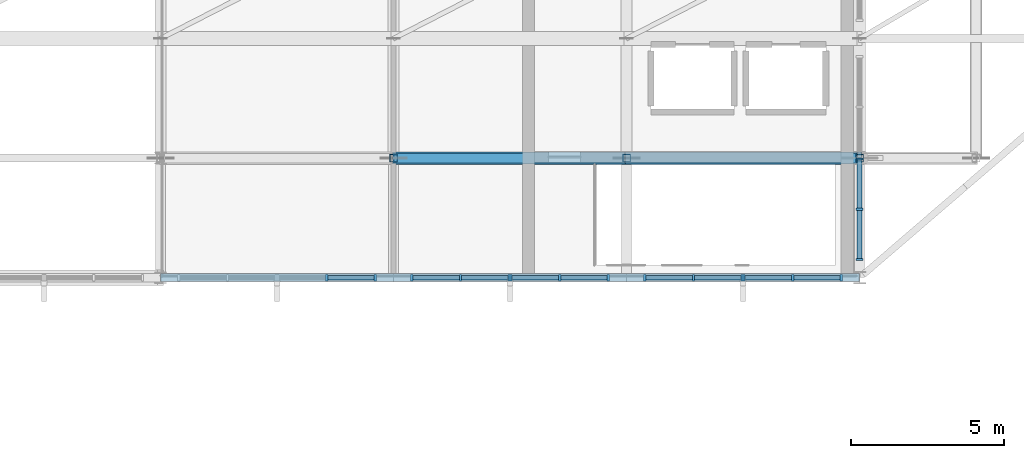
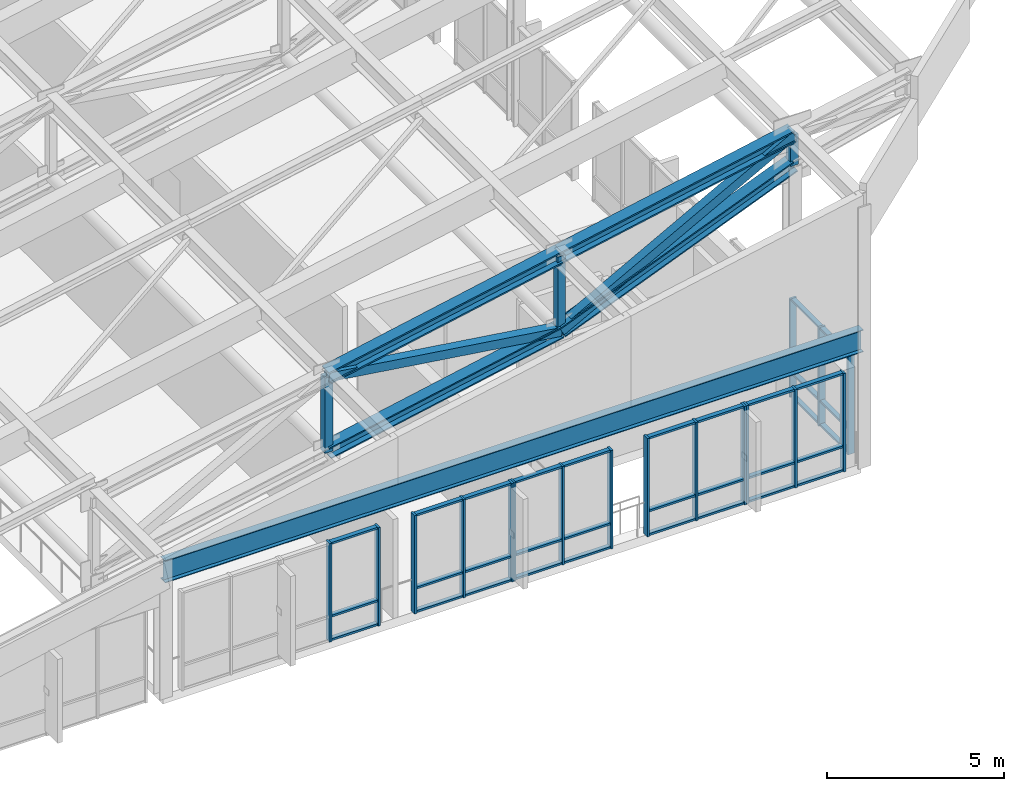
# One storey, part 25 of 73: 59 members, 1 beam, 6 elements without a shape of their own.
"""IFC4 building model written with IfcOpenShell, lengths in metres."""

from ifc_helpers import new_model, si_unit, direction, frame, origin, origin_2d, place, context, subcontext, project, spatial, rectangle, hollow_rectangle, i_section, extrude, material, material_profile, profile_set, type_object, element, aggregate, save


model = new_model("IFC4")

# Units and contexts
model_context = context("Model", 3, precision=1e-05, world=origin(), true_north=direction((0.0, 1.0)))
body_context = subcontext(model_context, "Body", "Model", "MODEL_VIEW")
ifc_project = project(units=[si_unit("LENGTHUNIT", "METRE"), si_unit("AREAUNIT", "SQUARE_METRE"), si_unit("VOLUMEUNIT", "CUBIC_METRE"), si_unit("PLANEANGLEUNIT", "RADIAN"), si_unit("MASSUNIT", "GRAM", prefix="KILO")], contexts=[model_context])

# Site, building, storey
site_placement = place(None, origin())
site = spatial("IfcSite", under=ifc_project, at=site_placement, CompositionType="ELEMENT")
building_placement = place(site_placement, origin())
building = spatial("IfcBuilding", under=site, at=building_placement, Name="Vervanel Yard Central Library", CompositionType="ELEMENT")
storey_placement = place(building_placement, frame((0.0, 0.0, 12.780029296875)))
storey = spatial("IfcBuildingStorey", under=building, at=storey_placement, Name="L03", CompositionType="ELEMENT", Elevation=12.780029296875)

# Members
ifc_material_1 = material(Name="Steel ASTM A992 Grade 50", Category="steel")
ifc_material_profile_1 = material_profile(ifc_material_1, i_section(OverallWidth=0.4013671875, OverallDepth=0.398681640625, WebThickness=0.02490234375, FlangeThickness=0.03955078125, at=origin_2d()), Name="W14X211", Category="steel")
ifc_profile_set_1 = profile_set([ifc_material_profile_1], Name="Steel ASTM A992 Grade 50")
member_type_1 = type_object("IfcMemberType", Name="Prow Cantilever Truss Bottom Chord W14X211", PredefinedType="CHORD", material=ifc_profile_set_1)
member_1_placement = place(storey_placement, frame((130.800048828125, 47.10009765625, 3.43115234375), z_axis=(0.980652097773, 0.0, 0.19575868597), x_axis=(0.0, 1.0, 0.0)))
element("IfcMember", 1, at=member_1_placement, inside=storey, type_object=member_type_1, Name="Prow Cantilever Truss S Bottom Chord Panel 2", PredefinedType="CHORD", context=body_context, shape_type="SweptSolid", body=[
    extrude(i_section(OverallWidth=0.4013671875, OverallDepth=0.398681640625, WebThickness=0.02490234375, FlangeThickness=0.03955078125, at=origin_2d()), origin(), (0.0, 0.0, 1.0), 7.749755859375),
])
member_2_placement = place(storey_placement, frame((138.39990234375, 47.10009765625, 4.9482421875), z_axis=(0.927342452781, 0.0, 0.374213809567), x_axis=(0.0, 1.0, 0.0)))
element("IfcMember", 2, at=member_2_placement, inside=storey, type_object=member_type_1, Name="Prow Cantilever Truss S Bottom Chord Panel 3", PredefinedType="CHORD", context=body_context, shape_type="SweptSolid", body=[
    extrude(i_section(OverallWidth=0.4013671875, OverallDepth=0.398681640625, WebThickness=0.02490234375, FlangeThickness=0.03955078125, at=origin_2d()), origin(), (0.0, 0.0, 1.0), 8.195556640625),
])
ifc_material_profile_2 = material_profile(ifc_material_1, i_section(OverallWidth=0.406494140625, OverallDepth=0.41650390625, WebThickness=0.030029296875, FlangeThickness=0.048095703125, at=origin_2d()), Name="W14X257", Category="steel")
ifc_profile_set_2 = profile_set([ifc_material_profile_2], Name="Steel ASTM A992 Grade 50")
member_type_2 = type_object("IfcMemberType", Name="Prow Cantilever Truss Top Chord W14X257", PredefinedType="CHORD", material=ifc_profile_set_2)
member_3_placement = place(storey_placement, frame((130.800048828125, 47.10009765625, 6.03125), z_axis=(0.980658144981, 0.0, 0.195728390079), x_axis=(0.0, 1.0, 0.0)))
element("IfcMember", 3, at=member_3_placement, inside=storey, type_object=member_type_2, Name="Prow Cantilever Truss S Top Chord Panel 2", PredefinedType="CHORD", context=body_context, shape_type="SweptSolid", body=[
    extrude(i_section(OverallWidth=0.406494140625, OverallDepth=0.41650390625, WebThickness=0.030029296875, FlangeThickness=0.048095703125, at=origin_2d()), origin(), (0.0, 0.0, 1.0), 7.749755859375),
])
member_4_placement = place(storey_placement, frame((138.39990234375, 47.10009765625, 7.548095703125), z_axis=(0.980653304953, 0.0, 0.195752638515), x_axis=(0.0, 1.0, 0.0)))
element("IfcMember", 4, at=member_4_placement, inside=storey, type_object=member_type_2, Name="Prow Cantilever Truss S Top Chord Panel 3", PredefinedType="CHORD", context=body_context, shape_type="SweptSolid", body=[
    extrude(i_section(OverallWidth=0.406494140625, OverallDepth=0.41650390625, WebThickness=0.030029296875, FlangeThickness=0.048095703125, at=origin_2d()), origin(), (0.0, 0.0, 1.0), 7.75),
])
ifc_material_2 = material(Name="Steel ASTM A500 Grade C", Category="steel")
ifc_material_profile_3 = material_profile(ifc_material_2, hollow_rectangle(XDim=0.3046875, YDim=0.3046875, WallThickness=0.0146484375, at=origin_2d()), Name="HSS12X12X5/8", Category="steel")
ifc_profile_set_3 = profile_set([ifc_material_profile_3], Name="Steel ASTM A500 Grade C")
member_type_3 = type_object("IfcMemberType", Name="Prow Truss Web Diagonal HSS12X12X5/8", PredefinedType="BRACE", material=ifc_profile_set_3)
member_5_placement = place(storey_placement, frame((130.800048828125, 47.10009765625, 6.03125), z_axis=(0.989998411056, 0.0, -0.141078510439), x_axis=(0.0, 1.0, 0.0)))
element("IfcMember", 5, at=member_5_placement, inside=storey, type_object=member_type_3, Name="Prow Cantilever Truss S Web Diagonal 2", PredefinedType="BRACE", context=body_context, shape_type="SweptSolid", body=[
    extrude(hollow_rectangle(XDim=0.3046875, YDim=0.3046875, WallThickness=0.0146484375, at=origin_2d()), origin(), (0.0, 0.0, 1.0), 7.676513671875),
])
member_6_placement = place(storey_placement, frame((138.39990234375, 47.10009765625, 4.9482421875), z_axis=(0.879281123086, 0.0, 0.476303166675), x_axis=(0.0, 1.0, 0.0)))
element("IfcMember", 6, at=member_6_placement, inside=storey, type_object=member_type_3, Name="Prow Cantilever Truss S Web Diagonal 3", PredefinedType="BRACE", context=body_context, shape_type="SweptSolid", body=[
    extrude(hollow_rectangle(XDim=0.3046875, YDim=0.3046875, WallThickness=0.0146484375, at=origin_2d()), origin(), (0.0, 0.0, 1.0), 8.6435546875),
])
ifc_material_profile_4 = material_profile(ifc_material_2, hollow_rectangle(XDim=0.25390625, YDim=0.25390625, WallThickness=0.01171875, at=origin_2d()), Name="HSS10X10X1/2", Category="steel")
ifc_profile_set_4 = profile_set([ifc_material_profile_4], Name="Steel ASTM A500 Grade C")
member_type_4 = type_object("IfcMemberType", Name="Prow Truss Web Vertical HSS10X10X1/2", PredefinedType="BRACE", material=ifc_profile_set_4)
member_7_placement = place(storey_placement, frame((130.800048828125, 47.10009765625, 3.43115234375), z_axis=(0.0, 0.0, 1.0), x_axis=(1.0, 0.0, 0.0)))
element("IfcMember", 7, at=member_7_placement, inside=storey, type_object=member_type_4, Name="Prow Cantilever Truss S Vertical 2", PredefinedType="BRACE", context=body_context, shape_type="SweptSolid", body=[
    extrude(hollow_rectangle(XDim=0.25390625, YDim=0.25390625, WallThickness=0.01171875, at=origin_2d()), origin(), (0.0, 0.0, 1.0), 2.60009765625),
])
member_8_placement = place(storey_placement, frame((138.39990234375, 47.10009765625, 4.9482421875), z_axis=(0.0, 0.0, 1.0), x_axis=(1.0, 0.0, 0.0)))
element("IfcMember", 8, at=member_8_placement, inside=storey, type_object=member_type_4, Name="Prow Cantilever Truss S Vertical 3", PredefinedType="BRACE", context=body_context, shape_type="SweptSolid", body=[
    extrude(hollow_rectangle(XDim=0.25390625, YDim=0.25390625, WallThickness=0.01171875, at=origin_2d()), origin(), (0.0, 0.0, 1.0), 2.599853515625),
])
member_9_placement = place(storey_placement, frame((146.0, 47.10009765625, 8.01513671875), z_axis=(0.0, 0.0, 1.0), x_axis=(1.0, 0.0, 0.0)))
element("IfcMember", 9, at=member_9_placement, inside=storey, type_object=member_type_4, Name="Prow Cantilever Truss S Vertical 4", PredefinedType="BRACE", context=body_context, shape_type="SweptSolid", body=[
    extrude(hollow_rectangle(XDim=0.25390625, YDim=0.25390625, WallThickness=0.01171875, at=origin_2d()), origin(), (0.0, 0.0, 1.0), 1.050048828125),
])

# Curtain wall, members
ifc_material_3 = material(Name="Thermally broken anodized aluminium 6063-T6", Category="aluminium")
curtain_wall_type = type_object("IfcCurtainWallType", Name="Prow Cantilever Glazed Curtain Wall", PredefinedType="NOTDEFINED", material=ifc_material_3)
curtain_wall_1_placement = place(storey_placement, origin())
curtain_wall_1 = element("IfcCurtainWall", 10, at=curtain_wall_1_placement, inside=storey, type_object=curtain_wall_type, Name="L03 Prow Cantilever Glazed Curtain Wall CWR-L03-081", PredefinedType="NOTDEFINED")
ifc_material_profile_5 = material_profile(ifc_material_3, rectangle(XDim=0.070068359375, YDim=0.219970703125, at=origin_2d()), Name="ALU 70x220", Category="aluminium")
ifc_profile_set_5 = profile_set([ifc_material_profile_5], Name="Thermally broken anodized aluminium 6063-T6")
member_type_5 = type_object("IfcMemberType", Name="Reading Hall Deep Mullion 70x220", PredefinedType="MULLION", material=ifc_profile_set_5)
member_10_placement = place(storey_placement, frame((128.6201171875, 43.199951171875, 0.0), z_axis=(0.0, 0.0, 1.0), x_axis=(1.0, 0.0, 0.0)))
member_10 = element("IfcMember", 11, at=member_10_placement, type_object=member_type_5, Name="CWR-L03-081 Mullion 2", PredefinedType="MULLION", context=body_context, shape_type="SweptSolid", body=[
    extrude(rectangle(XDim=0.070068359375, YDim=0.219970703125, at=origin_2d()), origin(), (0.0, 0.0, 1.0), 3.39990234375),
])
member_11_placement = place(storey_placement, frame((130.205078125, 43.199951171875, 0.0), z_axis=(0.0, 0.0, 1.0), x_axis=(1.0, 0.0, 0.0)))
member_11 = element("IfcMember", 12, at=member_11_placement, type_object=member_type_5, Name="CWR-L03-081 Mullion 3", PredefinedType="MULLION", context=body_context, shape_type="SweptSolid", body=[
    extrude(rectangle(XDim=0.070068359375, YDim=0.219970703125, at=origin_2d()), origin(), (0.0, 0.0, 1.0), 3.39990234375),
])

curtain_wall_2_placement = place(storey_placement, origin())
curtain_wall_2 = element("IfcCurtainWall", 13, at=curtain_wall_2_placement, inside=storey, type_object=curtain_wall_type, Name="L03 Prow Cantilever Glazed Curtain Wall CWR-L03-082", PredefinedType="NOTDEFINED")
member_12_placement = place(storey_placement, frame((131.39501953125, 43.199951171875, 0.0), z_axis=(0.0, 0.0, 1.0), x_axis=(1.0, 0.0, 0.0)))
member_12 = element("IfcMember", 14, at=member_12_placement, type_object=member_type_5, Name="CWR-L03-082 Mullion 1", PredefinedType="MULLION", context=body_context, shape_type="SweptSolid", body=[
    extrude(rectangle(XDim=0.070068359375, YDim=0.219970703125, at=origin_2d()), origin(), (0.0, 0.0, 1.0), 3.39990234375),
])
member_13_placement = place(storey_placement, frame((132.97998046875, 43.199951171875, 0.0), z_axis=(0.0, 0.0, 1.0), x_axis=(1.0, 0.0, 0.0)))
member_13 = element("IfcMember", 15, at=member_13_placement, type_object=member_type_5, Name="CWR-L03-082 Mullion 2", PredefinedType="MULLION", context=body_context, shape_type="SweptSolid", body=[
    extrude(rectangle(XDim=0.070068359375, YDim=0.219970703125, at=origin_2d()), origin(), (0.0, 0.0, 1.0), 3.39990234375),
])
member_14_placement = place(storey_placement, frame((134.56494140625, 43.199951171875, 0.0), z_axis=(0.0, 0.0, 1.0), x_axis=(1.0, 0.0, 0.0)))
member_14 = element("IfcMember", 16, at=member_14_placement, type_object=member_type_5, Name="CWR-L03-082 Mullion 3", PredefinedType="MULLION", context=body_context, shape_type="SweptSolid", body=[
    extrude(rectangle(XDim=0.070068359375, YDim=0.219970703125, at=origin_2d()), origin(), (0.0, 0.0, 1.0), 3.39990234375),
])

curtain_wall_3_placement = place(storey_placement, origin())
curtain_wall_3 = element("IfcCurtainWall", 17, at=curtain_wall_3_placement, inside=storey, type_object=curtain_wall_type, Name="L03 Prow Cantilever Glazed Curtain Wall CWR-L03-083", PredefinedType="NOTDEFINED")
member_15_placement = place(storey_placement, frame((134.635009765625, 43.199951171875, 0.0), z_axis=(0.0, 0.0, 1.0), x_axis=(1.0, 0.0, 0.0)))
member_15 = element("IfcMember", 18, at=member_15_placement, type_object=member_type_5, Name="CWR-L03-083 Mullion 1", PredefinedType="MULLION", context=body_context, shape_type="SweptSolid", body=[
    extrude(rectangle(XDim=0.070068359375, YDim=0.219970703125, at=origin_2d()), origin(), (0.0, 0.0, 1.0), 3.39990234375),
])
member_16_placement = place(storey_placement, frame((136.219970703125, 43.199951171875, 0.0), z_axis=(0.0, 0.0, 1.0), x_axis=(1.0, 0.0, 0.0)))
member_16 = element("IfcMember", 19, at=member_16_placement, type_object=member_type_5, Name="CWR-L03-083 Mullion 2", PredefinedType="MULLION", context=body_context, shape_type="SweptSolid", body=[
    extrude(rectangle(XDim=0.070068359375, YDim=0.219970703125, at=origin_2d()), origin(), (0.0, 0.0, 1.0), 3.39990234375),
])
member_17_placement = place(storey_placement, frame((137.804931640625, 43.199951171875, 0.0), z_axis=(0.0, 0.0, 1.0), x_axis=(1.0, 0.0, 0.0)))
member_17 = element("IfcMember", 20, at=member_17_placement, type_object=member_type_5, Name="CWR-L03-083 Mullion 3", PredefinedType="MULLION", context=body_context, shape_type="SweptSolid", body=[
    extrude(rectangle(XDim=0.070068359375, YDim=0.219970703125, at=origin_2d()), origin(), (0.0, 0.0, 1.0), 3.39990234375),
])

curtain_wall_4_placement = place(storey_placement, origin())
curtain_wall_4 = element("IfcCurtainWall", 21, at=curtain_wall_4_placement, inside=storey, type_object=curtain_wall_type, Name="L03 Prow Cantilever Glazed Curtain Wall CWR-L03-084", PredefinedType="NOTDEFINED")
member_18_placement = place(storey_placement, frame((138.9951171875, 43.199951171875, 0.0), z_axis=(0.0, 0.0, 1.0), x_axis=(1.0, 0.0, 0.0)))
member_18 = element("IfcMember", 22, at=member_18_placement, type_object=member_type_5, Name="CWR-L03-084 Mullion 1", PredefinedType="MULLION", context=body_context, shape_type="SweptSolid", body=[
    extrude(rectangle(XDim=0.070068359375, YDim=0.219970703125, at=origin_2d()), origin(), (0.0, 0.0, 1.0), 3.39990234375),
])
member_19_placement = place(storey_placement, frame((140.580078125, 43.199951171875, 0.0), z_axis=(0.0, 0.0, 1.0), x_axis=(1.0, 0.0, 0.0)))
member_19 = element("IfcMember", 23, at=member_19_placement, type_object=member_type_5, Name="CWR-L03-084 Mullion 2", PredefinedType="MULLION", context=body_context, shape_type="SweptSolid", body=[
    extrude(rectangle(XDim=0.070068359375, YDim=0.219970703125, at=origin_2d()), origin(), (0.0, 0.0, 1.0), 3.39990234375),
])
member_20_placement = place(storey_placement, frame((142.1650390625, 43.199951171875, 0.0), z_axis=(0.0, 0.0, 1.0), x_axis=(1.0, 0.0, 0.0)))
member_20 = element("IfcMember", 24, at=member_20_placement, type_object=member_type_5, Name="CWR-L03-084 Mullion 3", PredefinedType="MULLION", context=body_context, shape_type="SweptSolid", body=[
    extrude(rectangle(XDim=0.070068359375, YDim=0.219970703125, at=origin_2d()), origin(), (0.0, 0.0, 1.0), 3.39990234375),
])

curtain_wall_5_placement = place(storey_placement, origin())
curtain_wall_5 = element("IfcCurtainWall", 25, at=curtain_wall_5_placement, inside=storey, type_object=curtain_wall_type, Name="L03 Prow Cantilever Glazed Curtain Wall CWR-L03-085", PredefinedType="NOTDEFINED")
member_21_placement = place(storey_placement, frame((142.235107421875, 43.199951171875, 0.0), z_axis=(0.0, 0.0, 1.0), x_axis=(1.0, 0.0, 0.0)))
member_21 = element("IfcMember", 26, at=member_21_placement, type_object=member_type_5, Name="CWR-L03-085 Mullion 1", PredefinedType="MULLION", context=body_context, shape_type="SweptSolid", body=[
    extrude(rectangle(XDim=0.070068359375, YDim=0.219970703125, at=origin_2d()), origin(), (0.0, 0.0, 1.0), 3.39990234375),
])
member_22_placement = place(storey_placement, frame((143.820068359375, 43.199951171875, 0.0), z_axis=(0.0, 0.0, 1.0), x_axis=(1.0, 0.0, 0.0)))
member_22 = element("IfcMember", 27, at=member_22_placement, type_object=member_type_5, Name="CWR-L03-085 Mullion 2", PredefinedType="MULLION", context=body_context, shape_type="SweptSolid", body=[
    extrude(rectangle(XDim=0.070068359375, YDim=0.219970703125, at=origin_2d()), origin(), (0.0, 0.0, 1.0), 3.39990234375),
])
member_23_placement = place(storey_placement, frame((145.405029296875, 43.199951171875, 0.0), z_axis=(0.0, 0.0, 1.0), x_axis=(1.0, 0.0, 0.0)))
member_23 = element("IfcMember", 28, at=member_23_placement, type_object=member_type_5, Name="CWR-L03-085 Mullion 3", PredefinedType="MULLION", context=body_context, shape_type="SweptSolid", body=[
    extrude(rectangle(XDim=0.070068359375, YDim=0.219970703125, at=origin_2d()), origin(), (0.0, 0.0, 1.0), 3.39990234375),
])

curtain_wall_6_placement = place(storey_placement, origin())
curtain_wall_6 = element("IfcCurtainWall", 29, at=curtain_wall_6_placement, inside=storey, type_object=curtain_wall_type, Name="L03 Prow Cantilever Glazed Curtain Wall CWR-L03-140", PredefinedType="NOTDEFINED")
member_24_placement = place(storey_placement, frame((146.0, 43.794921875, 0.0), z_axis=(0.0, 0.0, 1.0), x_axis=(0.0, 1.0, 0.0)))
member_24 = element("IfcMember", 30, at=member_24_placement, type_object=member_type_5, Name="CWR-L03-140 Mullion 1", PredefinedType="MULLION", context=body_context, shape_type="SweptSolid", body=[
    extrude(rectangle(XDim=0.070068359375, YDim=0.219970703125, at=origin_2d()), origin(), (0.0, 0.0, 1.0), 3.39990234375),
])
member_25_placement = place(storey_placement, frame((146.0, 45.429931640625, 0.0), z_axis=(0.0, 0.0, 1.0), x_axis=(0.0, 1.0, 0.0)))
member_25 = element("IfcMember", 31, at=member_25_placement, type_object=member_type_5, Name="CWR-L03-140 Mullion 2", PredefinedType="MULLION", context=body_context, shape_type="SweptSolid", body=[
    extrude(rectangle(XDim=0.070068359375, YDim=0.219970703125, at=origin_2d()), origin(), (0.0, 0.0, 1.0), 3.39990234375),
])
member_26_placement = place(storey_placement, frame((146.0, 47.06494140625, 0.0), z_axis=(0.0, 0.0, 1.0), x_axis=(0.0, 1.0, 0.0)))
member_26 = element("IfcMember", 32, at=member_26_placement, type_object=member_type_5, Name="CWR-L03-140 Mullion 3", PredefinedType="MULLION", context=body_context, shape_type="SweptSolid", body=[
    extrude(rectangle(XDim=0.070068359375, YDim=0.219970703125, at=origin_2d()), origin(), (0.0, 0.0, 1.0), 3.39990234375),
])

# Member
ifc_material_profile_6 = material_profile(ifc_material_3, rectangle(XDim=0.070068359375, YDim=0.14990234375, at=origin_2d()), Name="ALU 70x150", Category="aluminium")
ifc_profile_set_6 = profile_set([ifc_material_profile_6], Name="Thermally broken anodized aluminium 6063-T6")
member_type_6 = type_object("IfcMemberType", Name="Reading Hall Deep Transom 70x150", PredefinedType="NOTDEFINED", material=ifc_profile_set_6)
member_27_placement = place(storey_placement, frame((128.655029296875, 43.199951171875, 0.034912109375), z_axis=(1.0, 0.0, 0.0), x_axis=(0.0, 0.0, 1.0)))
member_27 = element("IfcMember", 33, at=member_27_placement, type_object=member_type_6, Name="CWR-L03-081 Transom B2-T1", ObjectType="TRANSOM", PredefinedType="USERDEFINED", context=body_context, shape_type="SweptSolid", body=[
    extrude(rectangle(XDim=0.070068359375, YDim=0.14990234375, at=origin_2d()), origin(), (0.0, 0.0, 1.0), 1.514892578125),
])

member_28_placement = place(storey_placement, frame((128.655029296875, 43.199951171875, 0.849853515625), z_axis=(1.0, 0.0, 0.0), x_axis=(0.0, 0.0, 1.0)))
member_28 = element("IfcMember", 34, at=member_28_placement, type_object=member_type_6, Name="CWR-L03-081 Transom B2-T2", ObjectType="TRANSOM", PredefinedType="USERDEFINED", context=body_context, shape_type="SweptSolid", body=[
    extrude(rectangle(XDim=0.070068359375, YDim=0.14990234375, at=origin_2d()), origin(), (0.0, 0.0, 1.0), 1.514892578125),
])

member_29_placement = place(storey_placement, frame((128.655029296875, 43.199951171875, 3.364990234375), z_axis=(1.0, 0.0, 0.0), x_axis=(0.0, 0.0, 1.0)))
member_29 = element("IfcMember", 35, at=member_29_placement, type_object=member_type_6, Name="CWR-L03-081 Transom B2-T3", ObjectType="TRANSOM", PredefinedType="USERDEFINED", context=body_context, shape_type="SweptSolid", body=[
    extrude(rectangle(XDim=0.070068359375, YDim=0.14990234375, at=origin_2d()), origin(), (0.0, 0.0, 1.0), 1.514892578125),
])

aggregate(curtain_wall_1, [member_10, member_11, member_27, member_28, member_29])

member_30_placement = place(storey_placement, frame((131.429931640625, 43.199951171875, 0.034912109375), z_axis=(1.0, 0.0, 0.0), x_axis=(0.0, 0.0, 1.0)))
member_30 = element("IfcMember", 36, at=member_30_placement, type_object=member_type_6, Name="CWR-L03-082 Transom B1-T1", ObjectType="TRANSOM", PredefinedType="USERDEFINED", context=body_context, shape_type="SweptSolid", body=[
    extrude(rectangle(XDim=0.070068359375, YDim=0.14990234375, at=origin_2d()), origin(), (0.0, 0.0, 1.0), 1.51513671875),
])

member_31_placement = place(storey_placement, frame((131.429931640625, 43.199951171875, 0.849853515625), z_axis=(1.0, 0.0, 0.0), x_axis=(0.0, 0.0, 1.0)))
member_31 = element("IfcMember", 37, at=member_31_placement, type_object=member_type_6, Name="CWR-L03-082 Transom B1-T2", ObjectType="TRANSOM", PredefinedType="USERDEFINED", context=body_context, shape_type="SweptSolid", body=[
    extrude(rectangle(XDim=0.070068359375, YDim=0.14990234375, at=origin_2d()), origin(), (0.0, 0.0, 1.0), 1.51513671875),
])

member_32_placement = place(storey_placement, frame((131.429931640625, 43.199951171875, 3.364990234375), z_axis=(1.0, 0.0, 0.0), x_axis=(0.0, 0.0, 1.0)))
member_32 = element("IfcMember", 38, at=member_32_placement, type_object=member_type_6, Name="CWR-L03-082 Transom B1-T3", ObjectType="TRANSOM", PredefinedType="USERDEFINED", context=body_context, shape_type="SweptSolid", body=[
    extrude(rectangle(XDim=0.070068359375, YDim=0.14990234375, at=origin_2d()), origin(), (0.0, 0.0, 1.0), 1.51513671875),
])

member_33_placement = place(storey_placement, frame((133.014892578125, 43.199951171875, 0.034912109375), z_axis=(1.0, 0.0, 0.0), x_axis=(0.0, 0.0, 1.0)))
member_33 = element("IfcMember", 39, at=member_33_placement, type_object=member_type_6, Name="CWR-L03-082 Transom B2-T1", ObjectType="TRANSOM", PredefinedType="USERDEFINED", context=body_context, shape_type="SweptSolid", body=[
    extrude(rectangle(XDim=0.070068359375, YDim=0.14990234375, at=origin_2d()), origin(), (0.0, 0.0, 1.0), 1.51513671875),
])

member_34_placement = place(storey_placement, frame((133.014892578125, 43.199951171875, 0.849853515625), z_axis=(1.0, 0.0, 0.0), x_axis=(0.0, 0.0, 1.0)))
member_34 = element("IfcMember", 40, at=member_34_placement, type_object=member_type_6, Name="CWR-L03-082 Transom B2-T2", ObjectType="TRANSOM", PredefinedType="USERDEFINED", context=body_context, shape_type="SweptSolid", body=[
    extrude(rectangle(XDim=0.070068359375, YDim=0.14990234375, at=origin_2d()), origin(), (0.0, 0.0, 1.0), 1.51513671875),
])

member_35_placement = place(storey_placement, frame((133.014892578125, 43.199951171875, 3.364990234375), z_axis=(1.0, 0.0, 0.0), x_axis=(0.0, 0.0, 1.0)))
member_35 = element("IfcMember", 41, at=member_35_placement, type_object=member_type_6, Name="CWR-L03-082 Transom B2-T3", ObjectType="TRANSOM", PredefinedType="USERDEFINED", context=body_context, shape_type="SweptSolid", body=[
    extrude(rectangle(XDim=0.070068359375, YDim=0.14990234375, at=origin_2d()), origin(), (0.0, 0.0, 1.0), 1.51513671875),
])

aggregate(curtain_wall_2, [member_12, member_13, member_14, member_30, member_31, member_32, member_33, member_34, member_35])

member_36_placement = place(storey_placement, frame((134.669921875, 43.199951171875, 0.034912109375), z_axis=(1.0, 0.0, 0.0), x_axis=(0.0, 0.0, 1.0)))
member_36 = element("IfcMember", 42, at=member_36_placement, type_object=member_type_6, Name="CWR-L03-083 Transom B1-T1", ObjectType="TRANSOM", PredefinedType="USERDEFINED", context=body_context, shape_type="SweptSolid", body=[
    extrude(rectangle(XDim=0.070068359375, YDim=0.14990234375, at=origin_2d()), origin(), (0.0, 0.0, 1.0), 1.51513671875),
])

member_37_placement = place(storey_placement, frame((134.669921875, 43.199951171875, 0.849853515625), z_axis=(1.0, 0.0, 0.0), x_axis=(0.0, 0.0, 1.0)))
member_37 = element("IfcMember", 43, at=member_37_placement, type_object=member_type_6, Name="CWR-L03-083 Transom B1-T2", ObjectType="TRANSOM", PredefinedType="USERDEFINED", context=body_context, shape_type="SweptSolid", body=[
    extrude(rectangle(XDim=0.070068359375, YDim=0.14990234375, at=origin_2d()), origin(), (0.0, 0.0, 1.0), 1.51513671875),
])

member_38_placement = place(storey_placement, frame((134.669921875, 43.199951171875, 3.364990234375), z_axis=(1.0, 0.0, 0.0), x_axis=(0.0, 0.0, 1.0)))
member_38 = element("IfcMember", 44, at=member_38_placement, type_object=member_type_6, Name="CWR-L03-083 Transom B1-T3", ObjectType="TRANSOM", PredefinedType="USERDEFINED", context=body_context, shape_type="SweptSolid", body=[
    extrude(rectangle(XDim=0.070068359375, YDim=0.14990234375, at=origin_2d()), origin(), (0.0, 0.0, 1.0), 1.51513671875),
])

member_39_placement = place(storey_placement, frame((136.2548828125, 43.199951171875, 0.034912109375), z_axis=(1.0, 0.0, 0.0), x_axis=(0.0, 0.0, 1.0)))
member_39 = element("IfcMember", 45, at=member_39_placement, type_object=member_type_6, Name="CWR-L03-083 Transom B2-T1", ObjectType="TRANSOM", PredefinedType="USERDEFINED", context=body_context, shape_type="SweptSolid", body=[
    extrude(rectangle(XDim=0.070068359375, YDim=0.14990234375, at=origin_2d()), origin(), (0.0, 0.0, 1.0), 1.51513671875),
])

member_40_placement = place(storey_placement, frame((136.2548828125, 43.199951171875, 0.849853515625), z_axis=(1.0, 0.0, 0.0), x_axis=(0.0, 0.0, 1.0)))
member_40 = element("IfcMember", 46, at=member_40_placement, type_object=member_type_6, Name="CWR-L03-083 Transom B2-T2", ObjectType="TRANSOM", PredefinedType="USERDEFINED", context=body_context, shape_type="SweptSolid", body=[
    extrude(rectangle(XDim=0.070068359375, YDim=0.14990234375, at=origin_2d()), origin(), (0.0, 0.0, 1.0), 1.51513671875),
])

member_41_placement = place(storey_placement, frame((136.2548828125, 43.199951171875, 3.364990234375), z_axis=(1.0, 0.0, 0.0), x_axis=(0.0, 0.0, 1.0)))
member_41 = element("IfcMember", 47, at=member_41_placement, type_object=member_type_6, Name="CWR-L03-083 Transom B2-T3", ObjectType="TRANSOM", PredefinedType="USERDEFINED", context=body_context, shape_type="SweptSolid", body=[
    extrude(rectangle(XDim=0.070068359375, YDim=0.14990234375, at=origin_2d()), origin(), (0.0, 0.0, 1.0), 1.51513671875),
])

aggregate(curtain_wall_3, [member_15, member_16, member_17, member_36, member_37, member_38, member_39, member_40, member_41])

member_42_placement = place(storey_placement, frame((139.030029296875, 43.199951171875, 0.034912109375), z_axis=(1.0, 0.0, 0.0), x_axis=(0.0, 0.0, 1.0)))
member_42 = element("IfcMember", 48, at=member_42_placement, type_object=member_type_6, Name="CWR-L03-084 Transom B1-T1", ObjectType="TRANSOM", PredefinedType="USERDEFINED", context=body_context, shape_type="SweptSolid", body=[
    extrude(rectangle(XDim=0.070068359375, YDim=0.14990234375, at=origin_2d()), origin(), (0.0, 0.0, 1.0), 1.514892578125),
])

member_43_placement = place(storey_placement, frame((139.030029296875, 43.199951171875, 0.849853515625), z_axis=(1.0, 0.0, 0.0), x_axis=(0.0, 0.0, 1.0)))
member_43 = element("IfcMember", 49, at=member_43_placement, type_object=member_type_6, Name="CWR-L03-084 Transom B1-T2", ObjectType="TRANSOM", PredefinedType="USERDEFINED", context=body_context, shape_type="SweptSolid", body=[
    extrude(rectangle(XDim=0.070068359375, YDim=0.14990234375, at=origin_2d()), origin(), (0.0, 0.0, 1.0), 1.514892578125),
])

member_44_placement = place(storey_placement, frame((139.030029296875, 43.199951171875, 3.364990234375), z_axis=(1.0, 0.0, 0.0), x_axis=(0.0, 0.0, 1.0)))
member_44 = element("IfcMember", 50, at=member_44_placement, type_object=member_type_6, Name="CWR-L03-084 Transom B1-T3", ObjectType="TRANSOM", PredefinedType="USERDEFINED", context=body_context, shape_type="SweptSolid", body=[
    extrude(rectangle(XDim=0.070068359375, YDim=0.14990234375, at=origin_2d()), origin(), (0.0, 0.0, 1.0), 1.514892578125),
])

member_45_placement = place(storey_placement, frame((140.614990234375, 43.199951171875, 0.034912109375), z_axis=(1.0, 0.0, 0.0), x_axis=(0.0, 0.0, 1.0)))
member_45 = element("IfcMember", 51, at=member_45_placement, type_object=member_type_6, Name="CWR-L03-084 Transom B2-T1", ObjectType="TRANSOM", PredefinedType="USERDEFINED", context=body_context, shape_type="SweptSolid", body=[
    extrude(rectangle(XDim=0.070068359375, YDim=0.14990234375, at=origin_2d()), origin(), (0.0, 0.0, 1.0), 1.514892578125),
])

member_46_placement = place(storey_placement, frame((140.614990234375, 43.199951171875, 0.849853515625), z_axis=(1.0, 0.0, 0.0), x_axis=(0.0, 0.0, 1.0)))
member_46 = element("IfcMember", 52, at=member_46_placement, type_object=member_type_6, Name="CWR-L03-084 Transom B2-T2", ObjectType="TRANSOM", PredefinedType="USERDEFINED", context=body_context, shape_type="SweptSolid", body=[
    extrude(rectangle(XDim=0.070068359375, YDim=0.14990234375, at=origin_2d()), origin(), (0.0, 0.0, 1.0), 1.514892578125),
])

member_47_placement = place(storey_placement, frame((140.614990234375, 43.199951171875, 3.364990234375), z_axis=(1.0, 0.0, 0.0), x_axis=(0.0, 0.0, 1.0)))
member_47 = element("IfcMember", 53, at=member_47_placement, type_object=member_type_6, Name="CWR-L03-084 Transom B2-T3", ObjectType="TRANSOM", PredefinedType="USERDEFINED", context=body_context, shape_type="SweptSolid", body=[
    extrude(rectangle(XDim=0.070068359375, YDim=0.14990234375, at=origin_2d()), origin(), (0.0, 0.0, 1.0), 1.514892578125),
])

aggregate(curtain_wall_4, [member_18, member_19, member_20, member_42, member_43, member_44, member_45, member_46, member_47])

member_48_placement = place(storey_placement, frame((142.27001953125, 43.199951171875, 0.034912109375), z_axis=(1.0, 0.0, 0.0), x_axis=(0.0, 0.0, 1.0)))
member_48 = element("IfcMember", 54, at=member_48_placement, type_object=member_type_6, Name="CWR-L03-085 Transom B1-T1", ObjectType="TRANSOM", PredefinedType="USERDEFINED", context=body_context, shape_type="SweptSolid", body=[
    extrude(rectangle(XDim=0.070068359375, YDim=0.14990234375, at=origin_2d()), origin(), (0.0, 0.0, 1.0), 1.514892578125),
])

member_49_placement = place(storey_placement, frame((142.27001953125, 43.199951171875, 0.849853515625), z_axis=(1.0, 0.0, 0.0), x_axis=(0.0, 0.0, 1.0)))
member_49 = element("IfcMember", 55, at=member_49_placement, type_object=member_type_6, Name="CWR-L03-085 Transom B1-T2", ObjectType="TRANSOM", PredefinedType="USERDEFINED", context=body_context, shape_type="SweptSolid", body=[
    extrude(rectangle(XDim=0.070068359375, YDim=0.14990234375, at=origin_2d()), origin(), (0.0, 0.0, 1.0), 1.514892578125),
])

member_50_placement = place(storey_placement, frame((142.27001953125, 43.199951171875, 3.364990234375), z_axis=(1.0, 0.0, 0.0), x_axis=(0.0, 0.0, 1.0)))
member_50 = element("IfcMember", 56, at=member_50_placement, type_object=member_type_6, Name="CWR-L03-085 Transom B1-T3", ObjectType="TRANSOM", PredefinedType="USERDEFINED", context=body_context, shape_type="SweptSolid", body=[
    extrude(rectangle(XDim=0.070068359375, YDim=0.14990234375, at=origin_2d()), origin(), (0.0, 0.0, 1.0), 1.514892578125),
])

member_51_placement = place(storey_placement, frame((143.85498046875, 43.199951171875, 0.034912109375), z_axis=(1.0, 0.0, 0.0), x_axis=(0.0, 0.0, 1.0)))
member_51 = element("IfcMember", 57, at=member_51_placement, type_object=member_type_6, Name="CWR-L03-085 Transom B2-T1", ObjectType="TRANSOM", PredefinedType="USERDEFINED", context=body_context, shape_type="SweptSolid", body=[
    extrude(rectangle(XDim=0.070068359375, YDim=0.14990234375, at=origin_2d()), origin(), (0.0, 0.0, 1.0), 1.51513671875),
])

member_52_placement = place(storey_placement, frame((143.85498046875, 43.199951171875, 0.849853515625), z_axis=(1.0, 0.0, 0.0), x_axis=(0.0, 0.0, 1.0)))
member_52 = element("IfcMember", 58, at=member_52_placement, type_object=member_type_6, Name="CWR-L03-085 Transom B2-T2", ObjectType="TRANSOM", PredefinedType="USERDEFINED", context=body_context, shape_type="SweptSolid", body=[
    extrude(rectangle(XDim=0.070068359375, YDim=0.14990234375, at=origin_2d()), origin(), (0.0, 0.0, 1.0), 1.51513671875),
])

member_53_placement = place(storey_placement, frame((143.85498046875, 43.199951171875, 3.364990234375), z_axis=(1.0, 0.0, 0.0), x_axis=(0.0, 0.0, 1.0)))
member_53 = element("IfcMember", 59, at=member_53_placement, type_object=member_type_6, Name="CWR-L03-085 Transom B2-T3", ObjectType="TRANSOM", PredefinedType="USERDEFINED", context=body_context, shape_type="SweptSolid", body=[
    extrude(rectangle(XDim=0.070068359375, YDim=0.14990234375, at=origin_2d()), origin(), (0.0, 0.0, 1.0), 1.51513671875),
])

aggregate(curtain_wall_5, [member_21, member_22, member_23, member_48, member_49, member_50, member_51, member_52, member_53])

member_54_placement = place(storey_placement, frame((146.0, 43.830078125, 0.034912109375), z_axis=(0.0, 1.0, 0.0), x_axis=(0.0, 0.0, 1.0)))
member_54 = element("IfcMember", 60, at=member_54_placement, type_object=member_type_6, Name="CWR-L03-140 Transom B1-T1", ObjectType="TRANSOM", PredefinedType="USERDEFINED", context=body_context, shape_type="SweptSolid", body=[
    extrude(rectangle(XDim=0.070068359375, YDim=0.14990234375, at=origin_2d()), origin(), (0.0, 0.0, 1.0), 1.56494140625),
])

member_55_placement = place(storey_placement, frame((146.0, 43.830078125, 0.849853515625), z_axis=(0.0, 1.0, 0.0), x_axis=(0.0, 0.0, 1.0)))
member_55 = element("IfcMember", 61, at=member_55_placement, type_object=member_type_6, Name="CWR-L03-140 Transom B1-T2", ObjectType="TRANSOM", PredefinedType="USERDEFINED", context=body_context, shape_type="SweptSolid", body=[
    extrude(rectangle(XDim=0.070068359375, YDim=0.14990234375, at=origin_2d()), origin(), (0.0, 0.0, 1.0), 1.56494140625),
])

member_56_placement = place(storey_placement, frame((146.0, 43.830078125, 3.364990234375), z_axis=(0.0, 1.0, 0.0), x_axis=(0.0, 0.0, 1.0)))
member_56 = element("IfcMember", 62, at=member_56_placement, type_object=member_type_6, Name="CWR-L03-140 Transom B1-T3", ObjectType="TRANSOM", PredefinedType="USERDEFINED", context=body_context, shape_type="SweptSolid", body=[
    extrude(rectangle(XDim=0.070068359375, YDim=0.14990234375, at=origin_2d()), origin(), (0.0, 0.0, 1.0), 1.56494140625),
])

member_57_placement = place(storey_placement, frame((146.0, 45.465087890625, 0.034912109375), z_axis=(0.0, 1.0, 0.0), x_axis=(0.0, 0.0, 1.0)))
member_57 = element("IfcMember", 63, at=member_57_placement, type_object=member_type_6, Name="CWR-L03-140 Transom B2-T1", ObjectType="TRANSOM", PredefinedType="USERDEFINED", context=body_context, shape_type="SweptSolid", body=[
    extrude(rectangle(XDim=0.070068359375, YDim=0.14990234375, at=origin_2d()), origin(), (0.0, 0.0, 1.0), 1.56494140625),
])

member_58_placement = place(storey_placement, frame((146.0, 45.465087890625, 0.849853515625), z_axis=(0.0, 1.0, 0.0), x_axis=(0.0, 0.0, 1.0)))
member_58 = element("IfcMember", 64, at=member_58_placement, type_object=member_type_6, Name="CWR-L03-140 Transom B2-T2", ObjectType="TRANSOM", PredefinedType="USERDEFINED", context=body_context, shape_type="SweptSolid", body=[
    extrude(rectangle(XDim=0.070068359375, YDim=0.14990234375, at=origin_2d()), origin(), (0.0, 0.0, 1.0), 1.56494140625),
])

member_59_placement = place(storey_placement, frame((146.0, 45.465087890625, 3.364990234375), z_axis=(0.0, 1.0, 0.0), x_axis=(0.0, 0.0, 1.0)))
member_59 = element("IfcMember", 65, at=member_59_placement, type_object=member_type_6, Name="CWR-L03-140 Transom B2-T3", ObjectType="TRANSOM", PredefinedType="USERDEFINED", context=body_context, shape_type="SweptSolid", body=[
    extrude(rectangle(XDim=0.070068359375, YDim=0.14990234375, at=origin_2d()), origin(), (0.0, 0.0, 1.0), 1.56494140625),
])

aggregate(curtain_wall_6, [member_24, member_25, member_26, member_54, member_55, member_56, member_57, member_58, member_59])

# Beam
ifc_material_profile_7 = material_profile(ifc_material_1, i_section(OverallWidth=0.2666015625, OverallDepth=0.76953125, WebThickness=0.015625, FlangeThickness=0.025390625, at=origin_2d()), Name="W30X132", Category="steel")
ifc_profile_set_7 = profile_set([ifc_material_profile_7], Name="Steel ASTM A992 Grade 50")
beam_type = type_object("IfcBeamType", Name="Steel Reading Hall Girder W30X132", PredefinedType="BEAM", material=ifc_profile_set_7)
beam_placement = place(storey_placement, frame((123.199951171875, 43.199951171875, 4.329345703125), z_axis=(1.0, 0.0, 0.0), x_axis=(0.0, 1.0, 0.0)))
element("IfcBeam", 66, at=beam_placement, inside=storey, type_object=beam_type, Name="L03 V3 Long-Span Clerestory Spandrel Girder S", PredefinedType="BEAM", context=body_context, shape_type="SweptSolid", body=[
    extrude(i_section(OverallWidth=0.2666015625, OverallDepth=0.76953125, WebThickness=0.015625, FlangeThickness=0.025390625, at=origin_2d()), origin(), (0.0, 0.0, 1.0), 22.800048828125),
])

save(model, "model.ifc")
